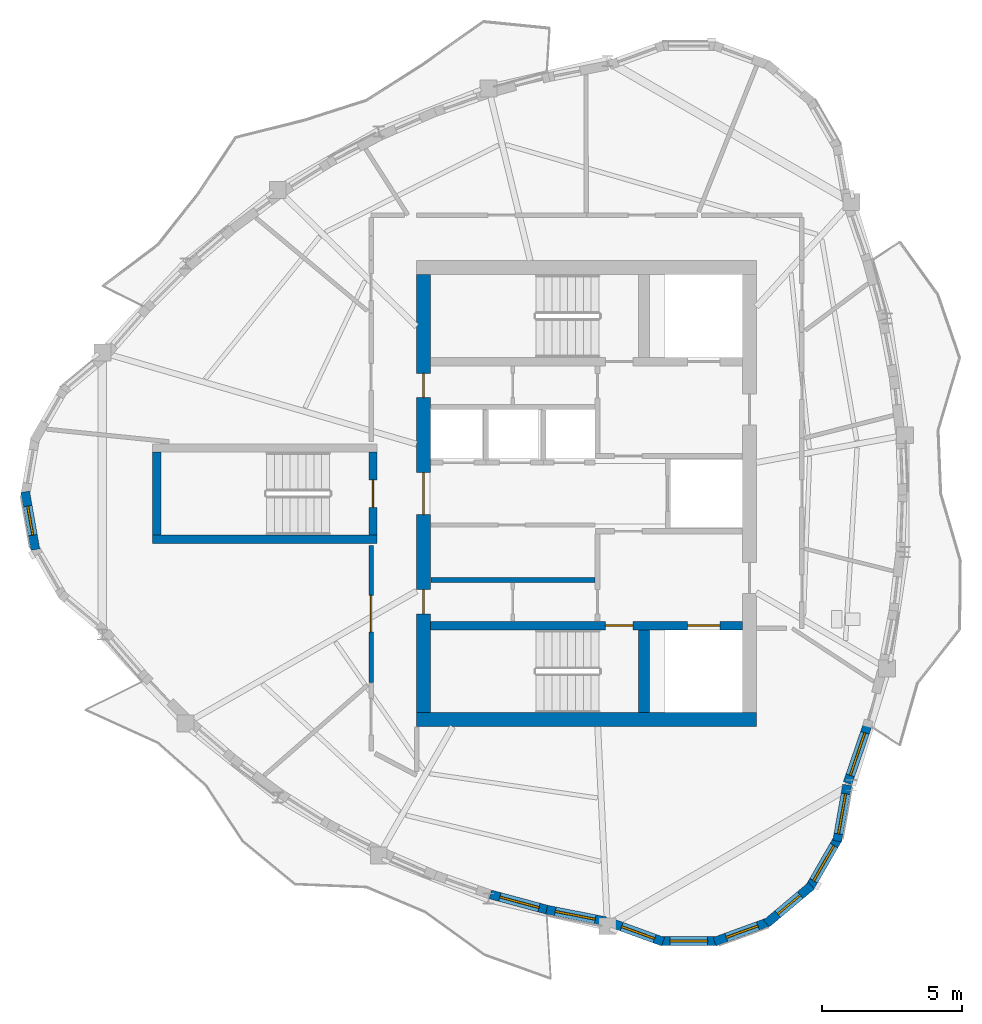
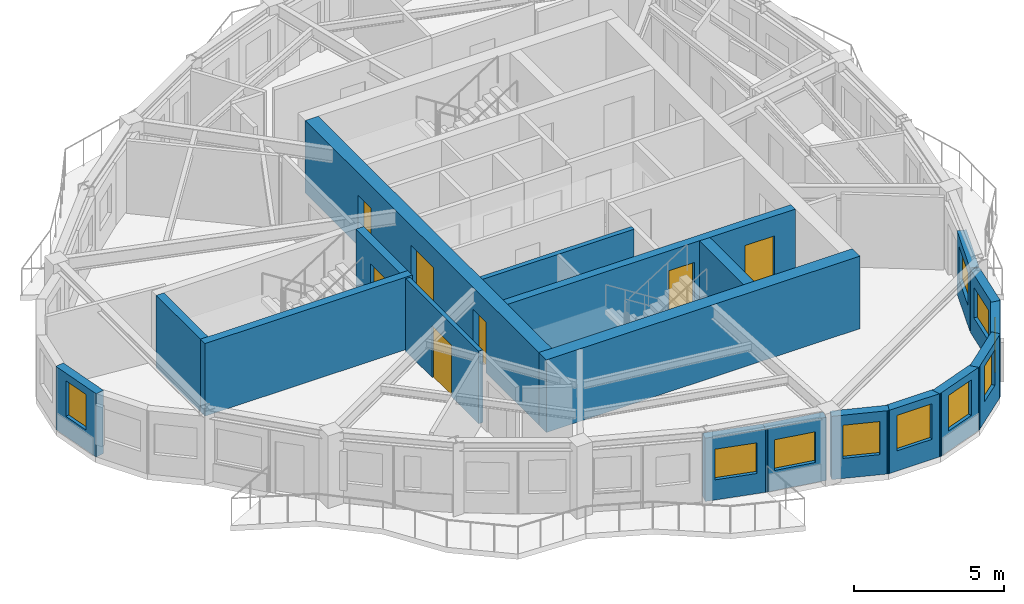
# One storey, part 3 of 11: 19 walls, 10 windows, 7 doors, 17 openings.
"""IFC4 building model written with IfcOpenShell, lengths in metres."""

from ifc_helpers import new_model, si_unit, direction, frame, frame_2d, origin, place, context, subcontext, project, spatial, rectangle, extrude, source, transform, mapped, material, layer, layer_set, type_object, element, fill, save


model = new_model("IFC4")

# Units and contexts
model_context = context("Model", 3, precision=1e-05, world=origin(), true_north=direction((0.0, 1.0)))
body_context = subcontext(model_context, "Body", "Model", "MODEL_VIEW")
ifc_project = project(units=[si_unit("LENGTHUNIT", "METRE"), si_unit("AREAUNIT", "SQUARE_METRE"), si_unit("VOLUMEUNIT", "CUBIC_METRE"), si_unit("PLANEANGLEUNIT", "RADIAN"), si_unit("MASSUNIT", "GRAM", prefix="KILO")], contexts=[model_context])

# Site, building, storey
site_placement = place(None, origin())
site = spatial("IfcSite", under=ifc_project, at=site_placement, CompositionType="ELEMENT")
building_placement = place(site_placement, origin())
building = spatial("IfcBuilding", under=site, at=building_placement, Name="Qafzar Sky-Pleat Residences", CompositionType="ELEMENT")
storey_placement = place(building_placement, frame((0.0, 0.0, 237.199951171875)))
storey = spatial("IfcBuildingStorey", under=building, at=storey_placement, Name="L71", CompositionType="ELEMENT", Elevation=237.199951171875)

# Wall, opening, door
ifc_material_1 = material(Name="Acoustic gypsum plasterboard partition", Category="gypsum")
ifc_layer_1 = layer(ifc_material_1, 0.159912109375)
ifc_layer_set_1 = layer_set([ifc_layer_1], Name="Acoustic gypsum plasterboard partition")
wall_type_1 = type_object("IfcWallType", Name="PART-COR-160", PredefinedType="PARTITIONING", material=ifc_layer_set_1)
wall_1_placement = place(storey_placement, frame((22.679931640625, 19.27099609375, 0.0), z_axis=(0.0, 0.0, 1.0), x_axis=(0.0, 1.0, 0.0)))
wall_1 = element("IfcWall", 1, at=wall_1_placement, inside=storey, type_object=wall_type_1, Name="L71 Partition Wall PART-L71-PW-002", PredefinedType="PARTITIONING", context=body_context, shape_type="SweptSolid", body=[
    extrude(rectangle(XDim=4.87890625, YDim=0.159912109375, at=frame_2d((2.439453125, 0.0))), origin(), (0.0, 0.0, 1.0), 2.9599609375),
])
opening_1_placement = place(wall_1_placement, frame((1.8076171875, 0.0, 0.0)))
opening_1 = element("IfcOpeningElement", 2, at=opening_1_placement, cuts=wall_1, Name="Opening ID-05", PredefinedType="OPENING", context=body_context, shape_type="SweptSolid", body=[
    extrude(rectangle(XDim=1.300048828125, YDim=2.10009765625, at=frame_2d((0.64990234375, 1.050048828125))), frame((0.0, 0.08984375, 0.0), z_axis=(0.0, -1.0, 0.0), x_axis=(1.0, 0.0, 0.0)), (0.0, 0.0, 1.0), 0.179931640625),
])
ifc_material_2 = material(Name="Timber-faced fire door", Category="wood")
door_type_1 = type_object("IfcDoorType", Name="DR-LNG-1300", OperationType="DOUBLE_DOOR_SINGLE_SWING", PredefinedType="DOOR", material=ifc_material_2)
shared_shape_1 = source(origin(), body_context, "Body", "SweptSolid", [
    extrude(rectangle(XDim=1.300048828125, YDim=2.10009765625, at=frame_2d((0.64990234375, 1.050048828125))), frame((0.0, 0.02490234375, 0.0), z_axis=(0.0, -1.0, 0.0), x_axis=(1.0, 0.0, 0.0)), (0.0, 0.0, 1.0), 0.050048828125),
])
door_1_placement = place(opening_1_placement, origin())
door_1 = element("IfcDoor", 3, at=door_1_placement, inside=storey, type_object=door_type_1, Name="L71 Tutorial Huddle Room Door", OperationType="DOUBLE_DOOR_SINGLE_SWING", OverallHeight=2.10009765625, OverallWidth=1.300048828125, PredefinedType="DOOR", context=body_context, shape_type="MappedRepresentation", body=[
    mapped(shared_shape_1, transform((0.0, 0.0, 0.0), x_axis=(1.0, 0.0, 0.0), y_axis=(0.0, 1.0, 0.0), z_axis=(0.0, 0.0, 1.0), scale=1.0)),
])
fill(opening_1, door_1)

# Wall
ifc_material_3 = material(Name="Concrete blockwork partition", Category="masonry")
ifc_layer_2 = layer(ifc_material_3, 0.179931640625)
ifc_layer_set_2 = layer_set([ifc_layer_2], Name="Concrete blockwork partition")
wall_type_2 = type_object("IfcWallType", Name="PART-SHAFT-180", PredefinedType="PARTITIONING", material=ifc_layer_set_2)
wall_2_placement = place(storey_placement, frame((24.81005859375, 22.919921875, 0.0), z_axis=(0.0, 0.0, 1.0), x_axis=(1.0, 0.0, 0.0)))
element("IfcWall", 4, at=wall_2_placement, inside=storey, type_object=wall_type_2, Name="L71 Partition Wall PART-L71-P13-S", PredefinedType="PARTITIONING", context=body_context, shape_type="SweptSolid", body=[
    extrude(rectangle(XDim=5.83984375, YDim=0.179931640625, at=frame_2d((2.919921875, 0.0))), origin(), (0.0, 0.0, 1.0), 2.9599609375),
])

# Wall, opening, window
ifc_material_4 = material(Name="Precast concrete C40/50 with honed Riyadh limestone", Category="concrete")
ifc_layer_3 = layer(ifc_material_4, 0.320068359375)
ifc_layer_set_3 = layer_set([ifc_layer_3], Name="Precast concrete C40/50 with honed Riyadh limestone")
wall_type_3 = type_object("IfcWallType", Name="WALL-EXT-320", PredefinedType="SOLIDWALL", material=ifc_layer_set_3)
wall_3_placement = place(storey_placement, frame((10.361083984375, 26.065185546875, 0.0), z_axis=(0.0, 0.0, 1.0), x_axis=(0.173672066494, -0.984803540469, 0.0)))
wall_3 = element("IfcWall", 5, at=wall_3_placement, inside=storey, type_object=wall_type_3, Name="L71 Limestone Facade Wall 4", PredefinedType="SOLIDWALL", context=body_context, shape_type="SweptSolid", body=[
    extrude(rectangle(XDim=2.09033203125, YDim=0.320068359375, at=frame_2d((1.045166015625, 0.0))), origin(), (0.0, 0.0, 1.0), 2.580078125),
])
opening_2_placement = place(wall_3_placement, frame((0.520263671875, 0.0, 0.820068359375)))
opening_2 = element("IfcOpeningElement", 6, at=opening_2_placement, cuts=wall_3, Name="Opening WN-06", PredefinedType="OPENING", context=body_context, shape_type="SweptSolid", body=[
    extrude(rectangle(XDim=1.050048828125, YDim=1.449951171875, at=frame_2d((0.52490234375, 0.72509765625))), frame((0.0, 0.169921875, 0.0), z_axis=(0.0, -1.0, 0.0), x_axis=(1.0, 0.0, 0.0)), (0.0, 0.0, 1.0), 0.340087890625),
])
ifc_material_5 = material(Name="Solar-control low-E glass in bronze aluminium frame", Category="glass")
window_type_1 = type_object("IfcWindowType", Name="WIN-06", PartitioningType="SINGLE_PANEL", PredefinedType="WINDOW", material=ifc_material_5)
shared_shape_2 = source(origin(), body_context, "Body", "SweptSolid", [
    extrude(rectangle(XDim=1.050048828125, YDim=1.449951171875, at=frame_2d((0.52490234375, 0.72509765625))), frame((0.0, 0.030029296875, 0.0), z_axis=(0.0, -1.0, 0.0), x_axis=(1.0, 0.0, 0.0)), (0.0, 0.0, 1.0), 0.06005859375),
])
window_1_placement = place(opening_2_placement, origin())
window_1 = element("IfcWindow", 7, at=window_1_placement, inside=storey, type_object=window_type_1, Name="L71 Punched Facade Window 04", OverallHeight=1.449951171875, OverallWidth=1.050048828125, PartitioningType="SINGLE_PANEL", PredefinedType="WINDOW", context=body_context, shape_type="MappedRepresentation", body=[
    mapped(shared_shape_2, transform((0.0, 0.0, 0.0), x_axis=(1.0, 0.0, 0.0), y_axis=(0.0, 1.0, 0.0), z_axis=(0.0, 0.0, 1.0), scale=1.0)),
])
fill(opening_2, window_1)

wall_4_placement = place(storey_placement, frame((26.927734375, 11.725830078125, 0.0), z_axis=(0.0, 0.0, 1.0), x_axis=(0.965475284531, -0.260494673572, 0.0)))
wall_4 = element("IfcWall", 8, at=wall_4_placement, inside=storey, type_object=wall_type_3, Name="L71 Limestone Facade Wall 15", PredefinedType="SOLIDWALL", context=body_context, shape_type="SweptSolid", body=[
    extrude(rectangle(XDim=2.166748046875, YDim=0.320068359375, at=frame_2d((1.08349609375, 0.0))), origin(), (0.0, 0.0, 1.0), 2.580078125),
])
opening_3_placement = place(wall_4_placement, frame((0.348388671875, 0.0, 0.820068359375)))
opening_3 = element("IfcOpeningElement", 9, at=opening_3_placement, cuts=wall_4, Name="Opening WN-15", PredefinedType="OPENING", context=body_context, shape_type="SweptSolid", body=[
    extrude(rectangle(XDim=1.449951171875, YDim=1.25, at=frame_2d((0.72509765625, 0.625))), frame((0.0, 0.169921875, 0.0), z_axis=(0.0, -1.0, 0.0), x_axis=(1.0, 0.0, 0.0)), (0.0, 0.0, 1.0), 0.340087890625),
])
window_type_2 = type_object("IfcWindowType", Name="WIN-15", PartitioningType="SINGLE_PANEL", PredefinedType="WINDOW", material=ifc_material_5)
shared_shape_3 = source(origin(), body_context, "Body", "SweptSolid", [
    extrude(rectangle(XDim=1.449951171875, YDim=1.25, at=frame_2d((0.72509765625, 0.625))), frame((0.0, 0.030029296875, 0.0), z_axis=(0.0, -1.0, 0.0), x_axis=(1.0, 0.0, 0.0)), (0.0, 0.0, 1.0), 0.06005859375),
])
window_2_placement = place(opening_3_placement, origin())
window_2 = element("IfcWindow", 10, at=window_2_placement, inside=storey, type_object=window_type_2, Name="L71 Punched Facade Window 15", OverallHeight=1.25, OverallWidth=1.449951171875, PartitioningType="SINGLE_PANEL", PredefinedType="WINDOW", context=body_context, shape_type="MappedRepresentation", body=[
    mapped(shared_shape_3, transform((0.0, 0.0, 0.0), x_axis=(1.0, 0.0, 0.0), y_axis=(0.0, 1.0, 0.0), z_axis=(0.0, 0.0, 1.0), scale=1.0)),
])
fill(opening_3, window_2)

wall_5_placement = place(storey_placement, frame((28.93505859375, 11.180908203125, 0.0), z_axis=(0.0, 0.0, 1.0), x_axis=(0.981241123534, -0.192784484559, 0.0)))
wall_5 = element("IfcWall", 11, at=wall_5_placement, inside=storey, type_object=wall_type_3, Name="L71 Limestone Facade Wall 16", PredefinedType="SOLIDWALL", context=body_context, shape_type="SweptSolid", body=[
    extrude(rectangle(XDim=2.142822265625, YDim=0.320068359375, at=frame_2d((1.0712890625, 0.0))), origin(), (0.0, 0.0, 1.0), 2.580078125),
])
opening_4_placement = place(wall_5_placement, frame((0.311279296875, 0.0, 0.820068359375)))
opening_4 = element("IfcOpeningElement", 12, at=opening_4_placement, cuts=wall_5, Name="Opening WN-15", PredefinedType="OPENING", context=body_context, shape_type="SweptSolid", body=[
    extrude(rectangle(XDim=1.449951171875, YDim=1.25, at=frame_2d((0.72509765625, 0.625))), frame((0.0, 0.169921875, 0.0), z_axis=(0.0, -1.0, 0.0), x_axis=(1.0, 0.0, 0.0)), (0.0, 0.0, 1.0), 0.340087890625),
])
window_3_placement = place(opening_4_placement, origin())
window_3 = element("IfcWindow", 13, at=window_3_placement, inside=storey, type_object=window_type_2, Name="L71 Punched Facade Window 16", OverallHeight=1.25, OverallWidth=1.449951171875, PartitioningType="SINGLE_PANEL", PredefinedType="WINDOW", context=body_context, shape_type="MappedRepresentation", body=[
    mapped(shared_shape_3, transform((0.0, 0.0, 0.0), x_axis=(1.0, 0.0, 0.0), y_axis=(0.0, 1.0, 0.0), z_axis=(0.0, 0.0, 1.0), scale=1.0)),
])
fill(opening_4, window_3)

wall_6_placement = place(storey_placement, frame((31.234375, 10.712890625, 0.0), z_axis=(0.0, 0.0, 1.0), x_axis=(0.939720740429, -0.341942875357, 0.0)))
wall_6 = element("IfcWall", 14, at=wall_6_placement, inside=storey, type_object=wall_type_3, Name="L71 Limestone Facade Wall 17", PredefinedType="SOLIDWALL", context=body_context, shape_type="SweptSolid", body=[
    extrude(rectangle(XDim=1.9619140625, YDim=0.320068359375, at=frame_2d((0.98095703125, 0.0))), origin(), (0.0, 0.0, 1.0), 2.580078125),
])
opening_5_placement = place(wall_6_placement, frame((0.39111328125, 0.0, 0.820068359375)))
opening_5 = element("IfcOpeningElement", 15, at=opening_5_placement, cuts=wall_6, Name="Opening WN-11", PredefinedType="OPENING", context=body_context, shape_type="SweptSolid", body=[
    extrude(rectangle(XDim=1.25, YDim=1.35009765625, at=frame_2d((0.625, 0.675048828125))), frame((0.0, 0.169921875, 0.0), z_axis=(0.0, -1.0, 0.0), x_axis=(1.0, 0.0, 0.0)), (0.0, 0.0, 1.0), 0.340087890625),
])
window_type_3 = type_object("IfcWindowType", Name="WIN-11", PartitioningType="SINGLE_PANEL", PredefinedType="WINDOW", material=ifc_material_5)
shared_shape_4 = source(origin(), body_context, "Body", "SweptSolid", [
    extrude(rectangle(XDim=1.25, YDim=1.35009765625, at=frame_2d((0.625, 0.675048828125))), frame((0.0, 0.030029296875, 0.0), z_axis=(0.0, -1.0, 0.0), x_axis=(1.0, 0.0, 0.0)), (0.0, 0.0, 1.0), 0.06005859375),
])
window_4_placement = place(opening_5_placement, origin())
window_4 = element("IfcWindow", 16, at=window_4_placement, inside=storey, type_object=window_type_3, Name="L71 Punched Facade Window 17", OverallHeight=1.35009765625, OverallWidth=1.25, PartitioningType="SINGLE_PANEL", PredefinedType="WINDOW", context=body_context, shape_type="MappedRepresentation", body=[
    mapped(shared_shape_4, transform((0.0, 0.0, 0.0), x_axis=(1.0, 0.0, 0.0), y_axis=(0.0, 1.0, 0.0), z_axis=(0.0, 0.0, 1.0), scale=1.0)),
])
fill(opening_5, window_4)

wall_7_placement = place(storey_placement, frame((32.94970703125, 10.064453125, 0.0), z_axis=(0.0, 0.0, 1.0), x_axis=(1.0, 0.0, 0.0)))
wall_7 = element("IfcWall", 17, at=wall_7_placement, inside=storey, type_object=wall_type_3, Name="L71 Limestone Facade Wall 18", PredefinedType="SOLIDWALL", context=body_context, shape_type="SweptSolid", body=[
    extrude(rectangle(XDim=2.090576171875, YDim=0.320068359375, at=frame_2d((1.04541015625, 0.0))), origin(), (0.0, 0.0, 1.0), 2.580078125),
])
opening_6_placement = place(wall_7_placement, frame((0.3701171875, 0.0, 0.820068359375)))
opening_6 = element("IfcOpeningElement", 18, at=opening_6_placement, cuts=wall_7, Name="Opening WN-04", PredefinedType="OPENING", context=body_context, shape_type="SweptSolid", body=[
    extrude(rectangle(XDim=1.35009765625, YDim=1.449951171875, at=frame_2d((0.675048828125, 0.72509765625))), frame((0.0, 0.169921875, 0.0), z_axis=(0.0, -1.0, 0.0), x_axis=(1.0, 0.0, 0.0)), (0.0, 0.0, 1.0), 0.340087890625),
])
window_type_4 = type_object("IfcWindowType", Name="WIN-04", PartitioningType="SINGLE_PANEL", PredefinedType="WINDOW", material=ifc_material_5)
shared_shape_5 = source(origin(), body_context, "Body", "SweptSolid", [
    extrude(rectangle(XDim=1.35009765625, YDim=1.449951171875, at=frame_2d((0.675048828125, 0.72509765625))), frame((0.0, 0.030029296875, 0.0), z_axis=(0.0, -1.0, 0.0), x_axis=(1.0, 0.0, 0.0)), (0.0, 0.0, 1.0), 0.06005859375),
])
window_5_placement = place(opening_6_placement, origin())
window_5 = element("IfcWindow", 19, at=window_5_placement, inside=storey, type_object=window_type_4, Name="L71 Punched Facade Window 18", OverallHeight=1.449951171875, OverallWidth=1.35009765625, PartitioningType="SINGLE_PANEL", PredefinedType="WINDOW", context=body_context, shape_type="MappedRepresentation", body=[
    mapped(shared_shape_5, transform((0.0, 0.0, 0.0), x_axis=(1.0, 0.0, 0.0), y_axis=(0.0, 1.0, 0.0), z_axis=(0.0, 0.0, 1.0), scale=1.0)),
])
fill(opening_6, window_5)

wall_8_placement = place(storey_placement, frame((34.911865234375, 10.0419921875, 0.0), z_axis=(0.0, 0.0, 1.0), x_axis=(0.93973543134, 0.341902499383, 0.0)))
wall_8 = element("IfcWall", 20, at=wall_8_placement, inside=storey, type_object=wall_type_3, Name="L71 Limestone Facade Wall 19", PredefinedType="SOLIDWALL", context=body_context, shape_type="SweptSolid", body=[
    extrude(rectangle(XDim=2.090087890625, YDim=0.320068359375, at=frame_2d((1.044921875, 0.0))), origin(), (0.0, 0.0, 1.0), 2.580078125),
])
opening_7_placement = place(wall_8_placement, frame((0.445068359375, 0.0, 0.820068359375)))
opening_7 = element("IfcOpeningElement", 21, at=opening_7_placement, cuts=wall_8, Name="Opening WN-05", PredefinedType="OPENING", context=body_context, shape_type="SweptSolid", body=[
    extrude(rectangle(XDim=1.199951171875, YDim=1.449951171875, at=frame_2d((0.60009765625, 0.72509765625))), frame((0.0, 0.169921875, 0.0), z_axis=(0.0, -1.0, 0.0), x_axis=(1.0, 0.0, 0.0)), (0.0, 0.0, 1.0), 0.340087890625),
])
window_type_5 = type_object("IfcWindowType", Name="WIN-05", PartitioningType="SINGLE_PANEL", PredefinedType="WINDOW", material=ifc_material_5)
shared_shape_6 = source(origin(), body_context, "Body", "SweptSolid", [
    extrude(rectangle(XDim=1.199951171875, YDim=1.449951171875, at=frame_2d((0.60009765625, 0.72509765625))), frame((0.0, 0.030029296875, 0.0), z_axis=(0.0, -1.0, 0.0), x_axis=(1.0, 0.0, 0.0)), (0.0, 0.0, 1.0), 0.06005859375),
])
window_6_placement = place(opening_7_placement, origin())
window_6 = element("IfcWindow", 22, at=window_6_placement, inside=storey, type_object=window_type_5, Name="L71 Punched Facade Window 19", OverallHeight=1.449951171875, OverallWidth=1.199951171875, PartitioningType="SINGLE_PANEL", PredefinedType="WINDOW", context=body_context, shape_type="MappedRepresentation", body=[
    mapped(shared_shape_6, transform((0.0, 0.0, 0.0), x_axis=(1.0, 0.0, 0.0), y_axis=(0.0, 1.0, 0.0), z_axis=(0.0, 0.0, 1.0), scale=1.0)),
])
fill(opening_7, window_6)

wall_9_placement = place(storey_placement, frame((36.762939453125, 10.69140625, 0.0), z_axis=(0.0, 0.0, 1.0), x_axis=(0.766072824549, 0.642753784499, 0.0)))
wall_9 = element("IfcWall", 23, at=wall_9_placement, inside=storey, type_object=wall_type_3, Name="L71 Limestone Facade Wall 20", PredefinedType="SOLIDWALL", context=body_context, shape_type="SweptSolid", body=[
    extrude(rectangle(XDim=2.090576171875, YDim=0.320068359375, at=frame_2d((1.04541015625, 0.0))), origin(), (0.0, 0.0, 1.0), 2.580078125),
])
opening_8_placement = place(wall_9_placement, frame((0.520263671875, 0.0, 0.820068359375)))
opening_8 = element("IfcOpeningElement", 24, at=opening_8_placement, cuts=wall_9, Name="Opening WN-06", PredefinedType="OPENING", context=body_context, shape_type="SweptSolid", body=[
    extrude(rectangle(XDim=1.050048828125, YDim=1.449951171875, at=frame_2d((0.52490234375, 0.72509765625))), frame((0.0, 0.169921875, 0.0), z_axis=(0.0, -1.0, 0.0), x_axis=(1.0, 0.0, 0.0)), (0.0, 0.0, 1.0), 0.340087890625),
])
window_7_placement = place(opening_8_placement, origin())
window_7 = element("IfcWindow", 25, at=window_7_placement, inside=storey, type_object=window_type_1, Name="L71 Punched Facade Window 20", OverallHeight=1.449951171875, OverallWidth=1.050048828125, PartitioningType="SINGLE_PANEL", PredefinedType="WINDOW", context=body_context, shape_type="MappedRepresentation", body=[
    mapped(shared_shape_2, transform((0.0, 0.0, 0.0), x_axis=(1.0, 0.0, 0.0), y_axis=(0.0, 1.0, 0.0), z_axis=(0.0, 0.0, 1.0), scale=1.0)),
])
fill(opening_8, window_7)

wall_10_placement = place(storey_placement, frame((38.280517578125, 11.935302734375, 0.0), z_axis=(0.0, 0.0, 1.0), x_axis=(0.499995423472, 0.866028046028, 0.0)))
wall_10 = element("IfcWall", 26, at=wall_10_placement, inside=storey, type_object=wall_type_3, Name="L71 Limestone Facade Wall 21", PredefinedType="SOLIDWALL", context=body_context, shape_type="SweptSolid", body=[
    extrude(rectangle(XDim=2.09033203125, YDim=0.320068359375, at=frame_2d((1.045166015625, 0.0))), origin(), (0.0, 0.0, 1.0), 2.580078125),
])
opening_9_placement = place(wall_10_placement, frame((0.320068359375, 0.0, 0.820068359375)))
opening_9 = element("IfcOpeningElement", 27, at=opening_9_placement, cuts=wall_10, Name="Opening WN-15", PredefinedType="OPENING", context=body_context, shape_type="SweptSolid", body=[
    extrude(rectangle(XDim=1.449951171875, YDim=1.25, at=frame_2d((0.72509765625, 0.625))), frame((0.0, 0.169921875, 0.0), z_axis=(0.0, -1.0, 0.0), x_axis=(1.0, 0.0, 0.0)), (0.0, 0.0, 1.0), 0.340087890625),
])
window_8_placement = place(opening_9_placement, origin())
window_8 = element("IfcWindow", 28, at=window_8_placement, inside=storey, type_object=window_type_2, Name="L71 Punched Facade Window 21", OverallHeight=1.25, OverallWidth=1.449951171875, PartitioningType="SINGLE_PANEL", PredefinedType="WINDOW", context=body_context, shape_type="MappedRepresentation", body=[
    mapped(shared_shape_3, transform((0.0, 0.0, 0.0), x_axis=(1.0, 0.0, 0.0), y_axis=(0.0, 1.0, 0.0), z_axis=(0.0, 0.0, 1.0), scale=1.0)),
])
fill(opening_9, window_8)

wall_11_placement = place(storey_placement, frame((39.281005859375, 13.623046875, 0.0), z_axis=(0.0, 0.0, 1.0), x_axis=(0.17370309897, 0.984798067326, 0.0)))
wall_11 = element("IfcWall", 29, at=wall_11_placement, inside=storey, type_object=wall_type_3, Name="L71 Limestone Facade Wall 22", PredefinedType="SOLIDWALL", context=body_context, shape_type="SweptSolid", body=[
    extrude(rectangle(XDim=2.032470703125, YDim=0.320068359375, at=frame_2d((1.01611328125, 0.0))), origin(), (0.0, 0.0, 1.0), 2.580078125),
])
opening_10_placement = place(wall_11_placement, frame((0.26123046875, 0.0, 0.820068359375)))
opening_10 = element("IfcOpeningElement", 30, at=opening_10_placement, cuts=wall_11, Name="Opening WN-15", PredefinedType="OPENING", context=body_context, shape_type="SweptSolid", body=[
    extrude(rectangle(XDim=1.449951171875, YDim=1.25, at=frame_2d((0.72509765625, 0.625))), frame((0.0, 0.169921875, 0.0), z_axis=(0.0, -1.0, 0.0), x_axis=(1.0, 0.0, 0.0)), (0.0, 0.0, 1.0), 0.340087890625),
])
window_9_placement = place(opening_10_placement, origin())
window_9 = element("IfcWindow", 31, at=window_9_placement, inside=storey, type_object=window_type_2, Name="L71 Punched Facade Window 22", OverallHeight=1.25, OverallWidth=1.449951171875, PartitioningType="SINGLE_PANEL", PredefinedType="WINDOW", context=body_context, shape_type="MappedRepresentation", body=[
    mapped(shared_shape_3, transform((0.0, 0.0, 0.0), x_axis=(1.0, 0.0, 0.0), y_axis=(0.0, 1.0, 0.0), z_axis=(0.0, 0.0, 1.0), scale=1.0)),
])
fill(opening_10, window_9)

wall_12_placement = place(storey_placement, frame((39.650146484375, 15.68701171875, 0.0), z_axis=(0.0, 0.0, 1.0), x_axis=(0.323599303824, 0.946194213978, 0.0)))
wall_12 = element("IfcWall", 32, at=wall_12_placement, inside=storey, type_object=wall_type_3, Name="L71 Limestone Facade Wall 23", PredefinedType="SOLIDWALL", context=body_context, shape_type="SweptSolid", body=[
    extrude(rectangle(XDim=2.212890625, YDim=0.320068359375, at=frame_2d((1.1064453125, 0.0))), origin(), (0.0, 0.0, 1.0), 2.580078125),
])
opening_11_placement = place(wall_12_placement, frame((0.29638671875, 0.0, 0.820068359375)))
opening_11 = element("IfcOpeningElement", 33, at=opening_11_placement, cuts=wall_12, Name="Opening WN-09", PredefinedType="OPENING", context=body_context, shape_type="SweptSolid", body=[
    extrude(rectangle(XDim=1.60009765625, YDim=1.35009765625, at=frame_2d((0.800048828125, 0.675048828125))), frame((0.0, 0.169921875, 0.0), z_axis=(0.0, -1.0, 0.0), x_axis=(1.0, 0.0, 0.0)), (0.0, 0.0, 1.0), 0.340087890625),
])
window_type_6 = type_object("IfcWindowType", Name="WIN-09", PartitioningType="DOUBLE_PANEL_VERTICAL", PredefinedType="WINDOW", material=ifc_material_5)
shared_shape_7 = source(origin(), body_context, "Body", "SweptSolid", [
    extrude(rectangle(XDim=1.60009765625, YDim=1.35009765625, at=frame_2d((0.800048828125, 0.675048828125))), frame((0.0, 0.030029296875, 0.0), z_axis=(0.0, -1.0, 0.0), x_axis=(1.0, 0.0, 0.0)), (0.0, 0.0, 1.0), 0.06005859375),
])
window_10_placement = place(opening_11_placement, origin())
window_10 = element("IfcWindow", 34, at=window_10_placement, inside=storey, type_object=window_type_6, Name="L71 Punched Facade Window 23", OverallHeight=1.35009765625, OverallWidth=1.60009765625, PartitioningType="SINGLE_PANEL", PredefinedType="WINDOW", context=body_context, shape_type="MappedRepresentation", body=[
    mapped(shared_shape_7, transform((0.0, 0.0, 0.0), x_axis=(1.0, 0.0, 0.0), y_axis=(0.0, 1.0, 0.0), z_axis=(0.0, 0.0, 1.0), scale=1.0)),
])
fill(opening_11, window_10)

# Wall, openings, doors
ifc_material_6 = material(Name="Concrete C60/75", Category="concrete")
ifc_layer_4 = layer(ifc_material_6, 0.300048828125)
ifc_layer_set_4 = layer_set([ifc_layer_4], Name="Concrete C60/75")
wall_type_4 = type_object("IfcWallType", Name="WALL-SHEAR-300", PredefinedType="SHEAR", material=ifc_layer_set_4)
wall_13_placement = place(storey_placement, frame((24.800048828125, 21.300048828125, 0.0), z_axis=(0.0, 0.0, 1.0), x_axis=(1.0, 0.0, 0.0)))
wall_13 = element("IfcWall", 35, at=wall_13_placement, inside=storey, type_object=wall_type_4, Name="L71 Stair ST1 and FF1 Shaft North Wall", PredefinedType="SHEAR", context=body_context, shape_type="SweptSolid", body=[
    extrude(rectangle(XDim=11.099853515625, YDim=0.300048828125, at=frame_2d((5.5498046875, 0.0))), origin(), (0.0, 0.0, 1.0), 2.9599609375),
])
opening_12_placement = place(wall_13_placement, frame((6.219970703125, 0.0, 0.0)))
opening_12 = element("IfcOpeningElement", 36, at=opening_12_placement, cuts=wall_13, Name="Opening ID-01", PredefinedType="OPENING", context=body_context, shape_type="SweptSolid", body=[
    extrude(rectangle(XDim=0.97998046875, YDim=2.14990234375, at=frame_2d((0.489990234375, 1.074951171875))), frame((0.0, 0.16015625, 0.0), z_axis=(0.0, -1.0, 0.0), x_axis=(1.0, 0.0, 0.0)), (0.0, 0.0, 1.0), 0.320068359375),
])
opening_13_placement = place(wall_13_placement, frame((9.14990234375, 0.0, 0.0)))
opening_13 = element("IfcOpeningElement", 37, at=opening_13_placement, cuts=wall_13, Name="Opening LD-02", PredefinedType="OPENING", context=body_context, shape_type="SweptSolid", body=[
    extrude(rectangle(XDim=1.14990234375, YDim=2.14990234375, at=frame_2d((0.574951171875, 1.074951171875))), frame((0.0, 0.16015625, 0.0), z_axis=(0.0, -1.0, 0.0), x_axis=(1.0, 0.0, 0.0)), (0.0, 0.0, 1.0), 0.320068359375),
])
door_type_2 = type_object("IfcDoorType", Name="DR-STAIR-980", OperationType="NOTDEFINED", PredefinedType="DOOR", material=ifc_material_2)
shared_shape_8 = source(origin(), body_context, "Body", "SweptSolid", [
    extrude(rectangle(XDim=0.97998046875, YDim=2.14990234375, at=frame_2d((0.489990234375, 1.074951171875))), frame((0.0, 0.02490234375, 0.0), z_axis=(0.0, -1.0, 0.0), x_axis=(1.0, 0.0, 0.0)), (0.0, 0.0, 1.0), 0.050048828125),
])
door_2_placement = place(opening_12_placement, origin())
door_2 = element("IfcDoor", 38, at=door_2_placement, inside=storey, type_object=door_type_2, Name="L71 Stair ST1 Fire Door", OperationType="SINGLE_SWING_LEFT", OverallHeight=2.14990234375, OverallWidth=0.97998046875, PredefinedType="DOOR", context=body_context, shape_type="MappedRepresentation", body=[
    mapped(shared_shape_8, transform((0.0, 0.0, 0.0), x_axis=(1.0, 0.0, 0.0), y_axis=(0.0, 1.0, 0.0), z_axis=(0.0, 0.0, 1.0), scale=1.0)),
])
fill(opening_12, door_2)
ifc_material_7 = material(Name="Stainless steel sliding landing door", Category="steel")
door_type_3 = type_object("IfcDoorType", Name="DR-LIFT-FF", OperationType="DOUBLE_DOOR_SLIDING", PredefinedType="DOOR", material=ifc_material_7)
shared_shape_9 = source(origin(), body_context, "Body", "SweptSolid", [
    extrude(rectangle(XDim=1.14990234375, YDim=2.14990234375, at=frame_2d((0.574951171875, 1.074951171875))), frame((0.0, 0.02490234375, 0.0), z_axis=(0.0, -1.0, 0.0), x_axis=(1.0, 0.0, 0.0)), (0.0, 0.0, 1.0), 0.050048828125),
])
door_3_placement = place(opening_13_placement, origin())
door_3 = element("IfcDoor", 39, at=door_3_placement, inside=storey, type_object=door_type_3, Name="L71 Firefighting Lift FF1 Landing Door", OperationType="DOUBLE_DOOR_SLIDING", OverallHeight=2.14990234375, OverallWidth=1.14990234375, PredefinedType="DOOR", context=body_context, shape_type="MappedRepresentation", body=[
    mapped(shared_shape_9, transform((0.0, 0.0, 0.0), x_axis=(1.0, 0.0, 0.0), y_axis=(0.0, 1.0, 0.0), z_axis=(0.0, 0.0, 1.0), scale=1.0)),
])
fill(opening_13, door_3)

# Walls
wall_14_placement = place(storey_placement, frame((14.89990234375, 24.375, 0.0), z_axis=(0.0, 0.0, 1.0), x_axis=(1.0, 0.0, 0.0)))
element("IfcWall", 40, at=wall_14_placement, inside=storey, type_object=wall_type_4, Name="L71 ST3 wall S", PredefinedType="SHEAR", context=body_context, shape_type="SweptSolid", body=[
    extrude(rectangle(XDim=8.0, YDim=0.300048828125, at=frame_2d((4.0, 0.0))), origin(), (0.0, 0.0, 1.0), 2.9599609375),
])
wall_15_placement = place(storey_placement, frame((15.050048828125, 27.47509765625, 0.0), z_axis=(0.0, 0.0, 1.0), x_axis=(0.0, -1.0, 0.0)))
element("IfcWall", 41, at=wall_15_placement, inside=storey, type_object=wall_type_4, Name="L71 ST3 wall W", PredefinedType="SHEAR", context=body_context, shape_type="SweptSolid", body=[
    extrude(rectangle(XDim=2.9501953125, YDim=0.300048828125, at=frame_2d((1.47509765625, 0.0))), origin(), (0.0, 0.0, 1.0), 2.9599609375),
])

# Wall, opening, door
wall_16_placement = place(storey_placement, frame((22.75, 24.52490234375, 0.0), z_axis=(0.0, 0.0, 1.0), x_axis=(0.0, 1.0, 0.0)))
wall_16 = element("IfcWall", 42, at=wall_16_placement, inside=storey, type_object=wall_type_4, Name="L71 ST3 wall E", PredefinedType="SHEAR", context=body_context, shape_type="SweptSolid", body=[
    extrude(rectangle(XDim=2.9501953125, YDim=0.300048828125, at=frame_2d((1.47509765625, 0.0))), origin(), (0.0, 0.0, 1.0), 2.9599609375),
])
opening_14_placement = place(wall_16_placement, frame((0.985107421875, 0.0, 0.0)))
opening_14 = element("IfcOpeningElement", 43, at=opening_14_placement, cuts=wall_16, Name="Opening ID-01", PredefinedType="OPENING", context=body_context, shape_type="SweptSolid", body=[
    extrude(rectangle(XDim=0.97998046875, YDim=2.14990234375, at=frame_2d((0.489990234375, 1.074951171875))), frame((0.0, 0.16015625, 0.0), z_axis=(0.0, -1.0, 0.0), x_axis=(1.0, 0.0, 0.0)), (0.0, 0.0, 1.0), 0.320068359375),
])
door_4_placement = place(opening_14_placement, origin())
door_4 = element("IfcDoor", 44, at=door_4_placement, inside=storey, type_object=door_type_2, Name="L71 Stair ST3 Fire Door", OperationType="SINGLE_SWING_LEFT", OverallHeight=2.14990234375, OverallWidth=0.97998046875, PredefinedType="DOOR", context=body_context, shape_type="MappedRepresentation", body=[
    mapped(shared_shape_8, transform((0.0, 0.0, 0.0), x_axis=(1.0, 0.0, 0.0), y_axis=(0.0, 1.0, 0.0), z_axis=(0.0, 0.0, 1.0), scale=1.0)),
])
fill(opening_14, door_4)

# Walls
ifc_layer_5 = layer(ifc_material_6, 0.39990234375)
ifc_layer_set_5 = layer_set([ifc_layer_5], Name="Concrete C60/75")
wall_type_5 = type_object("IfcWallType", Name="WALL-SHEAR-400", PredefinedType="SHEAR", material=ifc_layer_set_5)
wall_17_placement = place(storey_placement, frame((32.39990234375, 18.199951171875, 0.0), z_axis=(0.0, 0.0, 1.0), x_axis=(0.0, 1.0, 0.0)))
element("IfcWall", 45, at=wall_17_placement, inside=storey, type_object=wall_type_5, Name="L71 Stair ST1 East Dividing Wall", PredefinedType="SHEAR", context=body_context, shape_type="SweptSolid", body=[
    extrude(rectangle(XDim=2.949951171875, YDim=0.39990234375, at=frame_2d((1.47509765625, 0.0))), origin(), (0.0, 0.0, 1.0), 2.9599609375),
])
ifc_layer_6 = layer(ifc_material_6, 0.5)
ifc_layer_set_6 = layer_set([ifc_layer_6], Name="Concrete C60/75")
wall_type_6 = type_object("IfcWallType", Name="WALL-SHEAR-500", PredefinedType="SHEAR", material=ifc_layer_set_6)
wall_18_placement = place(storey_placement, frame((24.300048828125, 17.949951171875, 0.0), z_axis=(0.0, 0.0, 1.0), x_axis=(1.0, 0.0, 0.0)))
element("IfcWall", 46, at=wall_18_placement, inside=storey, type_object=wall_type_6, Name="L71 CORE wall S", PredefinedType="SHEAR", context=body_context, shape_type="SweptSolid", body=[
    extrude(rectangle(XDim=12.099853515625, YDim=0.5, at=frame_2d((6.0498046875, 0.0))), origin(), (0.0, 0.0, 1.0), 2.9599609375),
])

# Wall, openings, doors
wall_19_placement = place(storey_placement, frame((24.550048828125, 33.800048828125, 0.0), z_axis=(0.0, 0.0, 1.0), x_axis=(0.0, -1.0, 0.0)))
wall_19 = element("IfcWall", 47, at=wall_19_placement, inside=storey, type_object=wall_type_6, Name="L71 CORE wall W", PredefinedType="SHEAR", context=body_context, shape_type="SweptSolid", body=[
    extrude(rectangle(XDim=15.60009765625, YDim=0.5, at=frame_2d((7.800048828125, 0.0))), origin(), (0.0, 0.0, 1.0), 2.9599609375),
])
opening_15_placement = place(wall_19_placement, frame((7.050048828125, 0.0, 0.0)))
opening_15 = element("IfcOpeningElement", 48, at=opening_15_placement, cuts=wall_19, Name="Opening ID-03", PredefinedType="OPENING", context=body_context, shape_type="SweptSolid", body=[
    extrude(rectangle(XDim=1.5, YDim=2.14990234375, at=frame_2d((0.75, 1.074951171875))), frame((0.0, 0.260009765625, 0.0), z_axis=(0.0, -1.0, 0.0), x_axis=(1.0, 0.0, 0.0)), (0.0, 0.0, 1.0), 0.52001953125),
])
opening_16_placement = place(wall_19_placement, frame((3.52001953125, 0.0, 0.0)))
opening_16 = element("IfcOpeningElement", 49, at=opening_16_placement, cuts=wall_19, Name="Opening ID-09", PredefinedType="OPENING", context=body_context, shape_type="SweptSolid", body=[
    extrude(rectangle(XDim=0.860107421875, YDim=2.050048828125, at=frame_2d((0.43017578125, 1.02490234375))), frame((0.0, 0.260009765625, 0.0), z_axis=(0.0, -1.0, 0.0), x_axis=(1.0, 0.0, 0.0)), (0.0, 0.0, 1.0), 0.52001953125),
])
opening_17_placement = place(wall_19_placement, frame((11.219970703125, 0.0, 0.0)))
opening_17 = element("IfcOpeningElement", 50, at=opening_17_placement, cuts=wall_19, Name="Opening ID-09", PredefinedType="OPENING", context=body_context, shape_type="SweptSolid", body=[
    extrude(rectangle(XDim=0.860107421875, YDim=2.050048828125, at=frame_2d((0.43017578125, 1.02490234375))), frame((0.0, 0.260009765625, 0.0), z_axis=(0.0, -1.0, 0.0), x_axis=(1.0, 0.0, 0.0)), (0.0, 0.0, 1.0), 0.52001953125),
])
door_type_4 = type_object("IfcDoorType", Name="DR-COR-1500", OperationType="DOUBLE_DOOR_SINGLE_SWING", PredefinedType="DOOR", material=ifc_material_2)
shared_shape_10 = source(origin(), body_context, "Body", "SweptSolid", [
    extrude(rectangle(XDim=1.5, YDim=2.14990234375, at=frame_2d((0.75, 1.074951171875))), frame((0.0, 0.02490234375, 0.0), z_axis=(0.0, -1.0, 0.0), x_axis=(1.0, 0.0, 0.0)), (0.0, 0.0, 1.0), 0.050048828125),
])
door_5_placement = place(opening_15_placement, origin())
door_5 = element("IfcDoor", 51, at=door_5_placement, inside=storey, type_object=door_type_4, Name="L71 Lift Lobby West Double Door", OperationType="DOUBLE_DOOR_SINGLE_SWING", OverallHeight=2.14990234375, OverallWidth=1.5, PredefinedType="DOOR", context=body_context, shape_type="MappedRepresentation", body=[
    mapped(shared_shape_10, transform((0.0, 0.0, 0.0), x_axis=(1.0, 0.0, 0.0), y_axis=(0.0, 1.0, 0.0), z_axis=(0.0, 0.0, 1.0), scale=1.0)),
])
fill(opening_15, door_5)
door_type_5 = type_object("IfcDoorType", Name="DR-SVC-860", OperationType="NOTDEFINED", PredefinedType="DOOR", material=ifc_material_2)
shared_shape_11 = source(origin(), body_context, "Body", "SweptSolid", [
    extrude(rectangle(XDim=0.860107421875, YDim=2.050048828125, at=frame_2d((0.43017578125, 1.02490234375))), frame((0.0, 0.02490234375, 0.0), z_axis=(0.0, -1.0, 0.0), x_axis=(1.0, 0.0, 0.0)), (0.0, 0.0, 1.0), 0.050048828125),
])
door_6_placement = place(opening_16_placement, origin())
door_6 = element("IfcDoor", 52, at=door_6_placement, inside=storey, type_object=door_type_5, Name="L71 Core North-West Service Door", OperationType="SINGLE_SWING_RIGHT", OverallHeight=2.050048828125, OverallWidth=0.860107421875, PredefinedType="DOOR", context=body_context, shape_type="MappedRepresentation", body=[
    mapped(shared_shape_11, transform((0.0, 0.0, 0.0), x_axis=(1.0, 0.0, 0.0), y_axis=(0.0, 1.0, 0.0), z_axis=(0.0, 0.0, 1.0), scale=1.0)),
])
fill(opening_16, door_6)
door_7_placement = place(opening_17_placement, origin())
door_7 = element("IfcDoor", 53, at=door_7_placement, inside=storey, type_object=door_type_5, Name="L71 Core South-West Service Door", OperationType="SINGLE_SWING_LEFT", OverallHeight=2.050048828125, OverallWidth=0.860107421875, PredefinedType="DOOR", context=body_context, shape_type="MappedRepresentation", body=[
    mapped(shared_shape_11, transform((0.0, 0.0, 0.0), x_axis=(1.0, 0.0, 0.0), y_axis=(0.0, 1.0, 0.0), z_axis=(0.0, 0.0, 1.0), scale=1.0)),
])
fill(opening_17, door_7)

save(model, "model.ifc")
